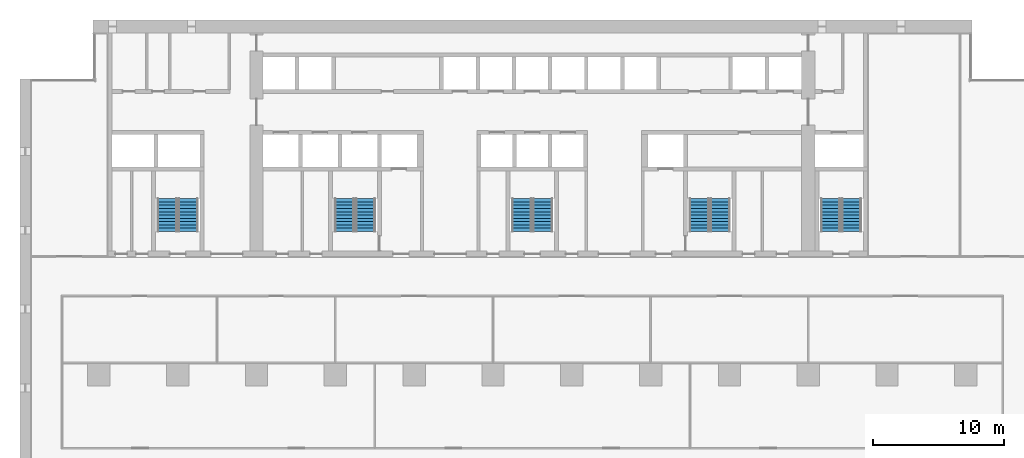
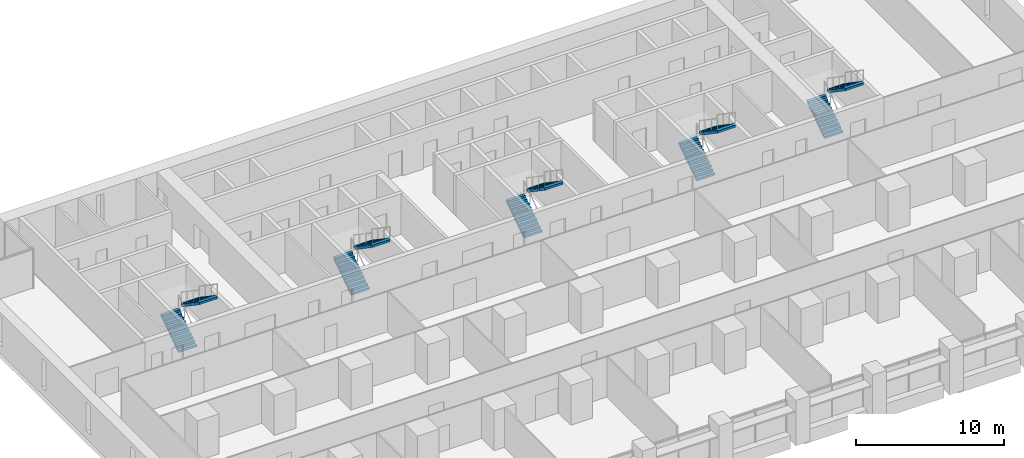
# One storey, part 14 of 18: 10 stair flights, 5 elements without a shape of their own.
"""IFC4 building model written with IfcOpenShell, lengths in metres."""

import ifcopenshell
import ifcopenshell.guid

model = None  # the IFC model being written
_history = None  # IfcOwnerHistory: only IFC2X3 demands one
_inside = {}  # id of a spatial element -> (the spatial element, [elements in it])
_under = {}  # id of a project, library or spatial element -> (it, [spatial elements below it])
_declared = {}  # id of a project -> (the project, [libraries it declares])
_typed = {}  # id of a type object -> (the type object, [elements of that type])
_made_of = {}  # id of a material, layer set ... -> (it, [elements and type objects made of it])


def new_model(schema):
    """Start an empty IFC model of exactly this schema.

    Asked for "IFC4X3", IfcOpenShell would pick the latest addendum, in which some entities
    have other attributes; the version numbers below select the first issue.
    IFC2X3 requires an IfcOwnerHistory on every rooted entity: one is made here for all.
    """
    global model, _history
    if schema == "IFC4X3":
        model = ifcopenshell.file(schema_version=(4, 3, 0, 0))
    else:
        model = ifcopenshell.file(schema=schema)
    _inside.clear()
    _under.clear()
    _declared.clear()
    _typed.clear()
    _made_of.clear()
    _history = None
    if model.schema == "IFC2X3":
        org = make("IfcOrganization", Name="unknown")
        user = make(
            "IfcPersonAndOrganization",
            ThePerson=make("IfcPerson", FamilyName="unknown"),
            TheOrganization=org,
        )
        app = make(
            "IfcApplication",
            ApplicationDeveloper=org,
            Version="unknown",
            ApplicationFullName="unknown",
            ApplicationIdentifier="unknown",
        )
        _history = make(
            "IfcOwnerHistory",
            OwningUser=user,
            OwningApplication=app,
            ChangeAction="ADDED",
            CreationDate=0,
        )
    return model


def make(cls, **values):
    """One entity of the class cls with the attributes given. An attribute that is None is left unset."""
    return model.create_entity(
        cls, **{name: value for name, value in values.items() if value is not None}
    )


def rooted(cls, **values):
    """An entity with a GlobalId (a new one), such as an element, a storey or a relation."""
    return make(cls, GlobalId=ifcopenshell.guid.new(), OwnerHistory=_history, **values)


def si_unit(unit_type, name, prefix=None):
    """IfcSIUnit, for example si_unit("LENGTHUNIT", "METRE", prefix="MILLI")."""
    return make("IfcSIUnit", UnitType=unit_type, Prefix=prefix, Name=name)


def assignment(units):
    """IfcUnitAssignment: the units of a project."""
    return None if units is None else make("IfcUnitAssignment", Units=units)


def point(xyz):
    """IfcCartesianPoint."""
    return None if xyz is None else make("IfcCartesianPoint", Coordinates=xyz)


def direction(xyz):
    """IfcDirection."""
    return None if xyz is None else make("IfcDirection", DirectionRatios=xyz)


def frame(location, z_axis=None, x_axis=None):
    """IfcAxis2Placement3D, a coordinate frame: its origin and axes. An axis left out is left unset."""
    return make(
        "IfcAxis2Placement3D",
        Location=point(location),
        Axis=direction(z_axis),
        RefDirection=direction(x_axis),
    )


def origin():
    """The frame at (0, 0, 0) with its axes left unset."""
    return frame((0.0, 0.0, 0.0))


def place(relative_to, where):
    """IfcLocalPlacement: puts the frame where relative to a parent placement (None: the world)."""
    return make(
        "IfcLocalPlacement", PlacementRelTo=relative_to, RelativePlacement=where
    )


def context(
    kind, dimensions, precision=None, world=None, true_north=None, identifier=None
):
    """IfcGeometricRepresentationContext, for example the 3D "Model" context."""
    return make(
        "IfcGeometricRepresentationContext",
        ContextIdentifier=identifier,
        ContextType=kind,
        CoordinateSpaceDimension=dimensions,
        Precision=precision,
        WorldCoordinateSystem=world,
        TrueNorth=true_north,
    )


def subcontext(parent, identifier, kind, view, scale=None):
    """IfcGeometricRepresentationSubContext, for example "Body" below "Model"."""
    return make(
        "IfcGeometricRepresentationSubContext",
        ContextIdentifier=identifier,
        ContextType=kind,
        ParentContext=parent,
        TargetScale=scale,
        TargetView=view,
    )


def project(units=None, contexts=None):
    """IfcProject with its units and contexts."""
    return rooted(
        "IfcProject",
        Name="project",
        RepresentationContexts=contexts,
        UnitsInContext=assignment(units),
    )


def spatial(cls, under=None, at=None, **own):
    """A site, building, storey or space (cls), placed at a placement, below another one or the project."""
    s = rooted(cls, ObjectPlacement=at, **own)
    if under is not None:
        _under.setdefault(under.id(), (under, []))[1].append(s)
    return s


def polyline(points):
    """IfcPolyline through the points."""
    return make("IfcPolyline", Points=[point(p) for p in points])


def outline(outer, holes=None, kind="AREA"):
    """IfcArbitraryClosedProfileDef: a profile drawn as a closed curve; with holes, ...WithVoids."""
    if holes is None:
        return make("IfcArbitraryClosedProfileDef", ProfileType=kind, OuterCurve=outer)
    return make(
        "IfcArbitraryProfileDefWithVoids",
        ProfileType=kind,
        OuterCurve=outer,
        InnerCurves=holes,
    )


def extrude(swept, where, along, depth):
    """IfcExtrudedAreaSolid: the profile swept, set in the frame where, extruded along a direction by depth."""
    return make(
        "IfcExtrudedAreaSolid",
        SweptArea=swept,
        Position=where,
        ExtrudedDirection=direction(along),
        Depth=depth,
    )


def shape(context_of_items, identifier, shape_type, items):
    """IfcShapeRepresentation: the items that make up one representation, for example the "Body"."""
    return make(
        "IfcShapeRepresentation",
        ContextOfItems=context_of_items,
        RepresentationIdentifier=identifier,
        RepresentationType=shape_type,
        Items=items,
    )


def material(Name=None, Category=None):
    """IfcMaterial."""
    return make("IfcMaterial", Name=Name, Category=Category)


def made_of(thing, what):
    """Note that an element or type object is made of a material, layer set ...; save() writes the relation."""
    if what is not None:
        _made_of.setdefault(what.id(), (what, []))[1].append(thing)
    return thing


def type_object(cls, material=None, **own):
    """A type object (cls), such as IfcWallType, which elements share."""
    return made_of(rooted(cls, **own), material)


def element(
    cls,
    number,
    at=None,
    inside=None,
    cuts=None,
    type_object=None,
    material=None,
    context=None,
    identifier="Body",
    shape_type=None,
    held_by="IfcProductDefinitionShape",
    body=None,
    shapes=None,
    **own,
):
    """One element of the class cls, such as IfcWall. Its Tag is "e" and its number.

    at: its placement. inside: the storey or other place that contains it. cuts: it is an
    opening in that element (IfcRelVoidsElement). A single representation is given by context,
    identifier, shape_type and body (its items); several are given by shapes. held_by: the class
    of the entity that holds the representations. save() writes the other relations.
    """
    e = rooted(cls, Tag="e%d" % number, ObjectPlacement=at, **own)
    if body is not None:
        shapes = [shape(context, identifier, shape_type, body)]
    if shapes is not None:
        e.Representation = make(held_by, Representations=shapes)
    if inside is not None:
        _inside.setdefault(inside.id(), (inside, []))[1].append(e)
    if cuts is not None:
        rooted(
            "IfcRelVoidsElement", RelatingBuildingElement=cuts, RelatedOpeningElement=e
        )
    if type_object is not None:
        _typed.setdefault(type_object.id(), (type_object, []))[1].append(e)
    return made_of(e, material)


def aggregate(whole, parts):
    """IfcRelAggregates: a whole, such as a stair, and the parts it consists of."""
    return rooted("IfcRelAggregates", RelatingObject=whole, RelatedObjects=parts)


def save(model, path):
    """Write the relations noted so far, then the file.

    IfcRelAggregates (storeys below a building ...), IfcRelContainedInSpatialStructure (elements
    in a storey), IfcRelDefinesByType, IfcRelAssociatesMaterial and IfcRelDeclares: one each for
    every whole, place, type object, material and project.
    """
    for whole, parts in _under.values():
        aggregate(whole, parts)
    for where, things in _inside.values():
        rooted(
            "IfcRelContainedInSpatialStructure",
            RelatedElements=things,
            RelatingStructure=where,
        )
    for kind, things in _typed.values():
        rooted("IfcRelDefinesByType", RelatedObjects=things, RelatingType=kind)
    for what, things in _made_of.values():
        rooted("IfcRelAssociatesMaterial", RelatedObjects=things, RelatingMaterial=what)
    for by, libraries in _declared.values():
        rooted("IfcRelDeclares", RelatingContext=by, RelatedDefinitions=libraries)
    model.write(path)


model = new_model("IFC4")

# Units and contexts
model_context = context("Model", 3, precision=1e-05, world=origin(), true_north=direction((0.0, 1.0)))
body_context = subcontext(model_context, "Body", "Model", "MODEL_VIEW")
ifc_project = project(units=[si_unit("LENGTHUNIT", "METRE"), si_unit("AREAUNIT", "SQUARE_METRE"), si_unit("VOLUMEUNIT", "CUBIC_METRE"), si_unit("PLANEANGLEUNIT", "RADIAN"), si_unit("MASSUNIT", "GRAM", prefix="KILO")], contexts=[model_context])

# Site, building, storey
site_placement = place(None, origin())
site = spatial("IfcSite", under=ifc_project, at=site_placement, CompositionType="ELEMENT")
building_placement = place(site_placement, origin())
building = spatial("IfcBuilding", under=site, at=building_placement, Name="Calvaro Tower", CompositionType="ELEMENT")
storey_placement = place(building_placement, frame((0.0, 0.0, 48.75)))
storey = spatial("IfcBuildingStorey", under=building, at=storey_placement, Name="L11", CompositionType="ELEMENT", Elevation=48.75)

# Stair, stair flights
ifc_material_1 = material(Name="Concrete C40/50", Category="concrete")
stair_type = type_object("IfcStairType", Name="Exit stair 1400 2 flights", PredefinedType="HALF_TURN_STAIR", material=ifc_material_1)
stair_1_placement = place(storey_placement, origin())
stair_1 = element("IfcStair", 1, at=stair_1_placement, inside=storey, type_object=stair_type, Name="Exit stair S1", PredefinedType="HALF_TURN_STAIR")
ifc_material_2 = material(Name="Concrete C40/50", Category="concrete")
stair_flight_type = type_object("IfcStairFlightType", Name="Stair flight", PredefinedType="STRAIGHT", material=ifc_material_2)
stair_flight_1_placement = place(storey_placement, frame((11.199951171875, 29.89990234375, 0.0), z_axis=(0.0, 0.0, 1.0), x_axis=(0.0, 1.0, 0.0)))
stair_flight_1 = element("IfcStairFlight", 2, at=stair_flight_1_placement, type_object=stair_flight_type, Name="Exit stair 1, flight 1", NumberOfRisers=11, NumberOfTreads=10, PredefinedType="STRAIGHT", RiserHeight=0.170454545, TreadLength=0.25, context=body_context, shape_type="SweptSolid", body=[
    extrude(outline(polyline([(0.0, 0.0), (0.0, 0.17041015625), (0.25, 0.17041015625), (0.25, 0.3408203125), (0.5, 0.3408203125), (0.5, 0.511474609375), (0.75, 0.511474609375), (0.75, 0.681884765625), (1.0, 0.681884765625), (1.0, 0.852294921875), (1.25, 0.852294921875), (1.25, 1.022705078125), (1.5, 1.022705078125), (1.5, 1.193115234375), (1.75, 1.193115234375), (1.75, 1.363525390625), (2.0, 1.363525390625), (2.0, 1.5341796875), (2.25, 1.5341796875), (2.25, 1.70458984375), (2.5, 1.70458984375), (2.5, 1.875), (2.5, 1.523193359375), (0.26611328125, 0.0), (0.0, 0.0)])), frame((0.0, 0.699951171875, 0.0), z_axis=(0.0, -1.0, 0.0), x_axis=(1.0, 0.0, 0.0)), (0.0, 0.0, 1.0), 1.39990234375),
])
stair_flight_2_placement = place(storey_placement, frame((12.800048828125, 32.39990234375, 1.875), z_axis=(0.0, 0.0, 1.0), x_axis=(0.0, -1.0, 0.0)))
stair_flight_2 = element("IfcStairFlight", 3, at=stair_flight_2_placement, type_object=stair_flight_type, Name="Exit stair 1, flight 2", NumberOfRisers=11, NumberOfTreads=10, PredefinedType="STRAIGHT", RiserHeight=0.170454545, TreadLength=0.25, context=body_context, shape_type="SweptSolid", body=[
    extrude(outline(polyline([(0.0, 0.0), (0.0, 0.17041015625), (0.25, 0.17041015625), (0.25, 0.3408203125), (0.5, 0.3408203125), (0.5, 0.511474609375), (0.75, 0.511474609375), (0.75, 0.681884765625), (1.0, 0.681884765625), (1.0, 0.852294921875), (1.25, 0.852294921875), (1.25, 1.022705078125), (1.5, 1.022705078125), (1.5, 1.193115234375), (1.75, 1.193115234375), (1.75, 1.363525390625), (2.0, 1.363525390625), (2.0, 1.5341796875), (2.25, 1.5341796875), (2.25, 1.70458984375), (2.5, 1.70458984375), (2.5, 1.875), (2.5, 1.523193359375), (0.26611328125, 0.0), (0.0, 0.0)])), frame((0.0, 0.699951171875, 0.0), z_axis=(0.0, -1.0, 0.0), x_axis=(1.0, 0.0, 0.0)), (0.0, 0.0, 1.0), 1.39990234375),
])
aggregate(stair_1, [stair_flight_1, stair_flight_2])

stair_2_placement = place(storey_placement, origin())
stair_2 = element("IfcStair", 4, at=stair_2_placement, inside=storey, type_object=stair_type, Name="Exit stair S2", PredefinedType="HALF_TURN_STAIR")
stair_flight_3_placement = place(storey_placement, frame((24.699951171875, 29.89990234375, 0.0), z_axis=(0.0, 0.0, 1.0), x_axis=(0.0, 1.0, 0.0)))
stair_flight_3 = element("IfcStairFlight", 5, at=stair_flight_3_placement, type_object=stair_flight_type, Name="Exit stair 2, flight 1", NumberOfRisers=11, NumberOfTreads=10, PredefinedType="STRAIGHT", RiserHeight=0.170454545, TreadLength=0.25, context=body_context, shape_type="SweptSolid", body=[
    extrude(outline(polyline([(0.0, 0.0), (0.0, 0.17041015625), (0.25, 0.17041015625), (0.25, 0.3408203125), (0.5, 0.3408203125), (0.5, 0.511474609375), (0.75, 0.511474609375), (0.75, 0.681884765625), (1.0, 0.681884765625), (1.0, 0.852294921875), (1.25, 0.852294921875), (1.25, 1.022705078125), (1.5, 1.022705078125), (1.5, 1.193115234375), (1.75, 1.193115234375), (1.75, 1.363525390625), (2.0, 1.363525390625), (2.0, 1.5341796875), (2.25, 1.5341796875), (2.25, 1.70458984375), (2.5, 1.70458984375), (2.5, 1.875), (2.5, 1.523193359375), (0.26611328125, 0.0), (0.0, 0.0)])), frame((0.0, 0.699951171875, 0.0), z_axis=(0.0, -1.0, 0.0), x_axis=(1.0, 0.0, 0.0)), (0.0, 0.0, 1.0), 1.39990234375),
])
stair_flight_4_placement = place(storey_placement, frame((26.300048828125, 32.39990234375, 1.875), z_axis=(0.0, 0.0, 1.0), x_axis=(0.0, -1.0, 0.0)))
stair_flight_4 = element("IfcStairFlight", 6, at=stair_flight_4_placement, type_object=stair_flight_type, Name="Exit stair 2, flight 2", NumberOfRisers=11, NumberOfTreads=10, PredefinedType="STRAIGHT", RiserHeight=0.170454545, TreadLength=0.25, context=body_context, shape_type="SweptSolid", body=[
    extrude(outline(polyline([(0.0, 0.0), (0.0, 0.17041015625), (0.25, 0.17041015625), (0.25, 0.3408203125), (0.5, 0.3408203125), (0.5, 0.511474609375), (0.75, 0.511474609375), (0.75, 0.681884765625), (1.0, 0.681884765625), (1.0, 0.852294921875), (1.25, 0.852294921875), (1.25, 1.022705078125), (1.5, 1.022705078125), (1.5, 1.193115234375), (1.75, 1.193115234375), (1.75, 1.363525390625), (2.0, 1.363525390625), (2.0, 1.5341796875), (2.25, 1.5341796875), (2.25, 1.70458984375), (2.5, 1.70458984375), (2.5, 1.875), (2.5, 1.523193359375), (0.26611328125, 0.0), (0.0, 0.0)])), frame((0.0, 0.699951171875, 0.0), z_axis=(0.0, -1.0, 0.0), x_axis=(1.0, 0.0, 0.0)), (0.0, 0.0, 1.0), 1.39990234375),
])
aggregate(stair_2, [stair_flight_3, stair_flight_4])

stair_3_placement = place(storey_placement, origin())
stair_3 = element("IfcStair", 7, at=stair_3_placement, inside=storey, type_object=stair_type, Name="Exit stair S3", PredefinedType="HALF_TURN_STAIR")
stair_flight_5_placement = place(storey_placement, frame((38.199951171875, 29.89990234375, 0.0), z_axis=(0.0, 0.0, 1.0), x_axis=(0.0, 1.0, 0.0)))
stair_flight_5 = element("IfcStairFlight", 8, at=stair_flight_5_placement, type_object=stair_flight_type, Name="Exit stair 3, flight 1", NumberOfRisers=11, NumberOfTreads=10, PredefinedType="STRAIGHT", RiserHeight=0.170454545, TreadLength=0.25, context=body_context, shape_type="SweptSolid", body=[
    extrude(outline(polyline([(0.0, 0.0), (0.0, 0.17041015625), (0.25, 0.17041015625), (0.25, 0.3408203125), (0.5, 0.3408203125), (0.5, 0.511474609375), (0.75, 0.511474609375), (0.75, 0.681884765625), (1.0, 0.681884765625), (1.0, 0.852294921875), (1.25, 0.852294921875), (1.25, 1.022705078125), (1.5, 1.022705078125), (1.5, 1.193115234375), (1.75, 1.193115234375), (1.75, 1.363525390625), (2.0, 1.363525390625), (2.0, 1.5341796875), (2.25, 1.5341796875), (2.25, 1.70458984375), (2.5, 1.70458984375), (2.5, 1.875), (2.5, 1.523193359375), (0.26611328125, 0.0), (0.0, 0.0)])), frame((0.0, 0.699951171875, 0.0), z_axis=(0.0, -1.0, 0.0), x_axis=(1.0, 0.0, 0.0)), (0.0, 0.0, 1.0), 1.39990234375),
])
stair_flight_6_placement = place(storey_placement, frame((39.800048828125, 32.39990234375, 1.875), z_axis=(0.0, 0.0, 1.0), x_axis=(0.0, -1.0, 0.0)))
stair_flight_6 = element("IfcStairFlight", 9, at=stair_flight_6_placement, type_object=stair_flight_type, Name="Exit stair 3, flight 2", NumberOfRisers=11, NumberOfTreads=10, PredefinedType="STRAIGHT", RiserHeight=0.170454545, TreadLength=0.25, context=body_context, shape_type="SweptSolid", body=[
    extrude(outline(polyline([(0.0, 0.0), (0.0, 0.17041015625), (0.25, 0.17041015625), (0.25, 0.3408203125), (0.5, 0.3408203125), (0.5, 0.511474609375), (0.75, 0.511474609375), (0.75, 0.681884765625), (1.0, 0.681884765625), (1.0, 0.852294921875), (1.25, 0.852294921875), (1.25, 1.022705078125), (1.5, 1.022705078125), (1.5, 1.193115234375), (1.75, 1.193115234375), (1.75, 1.363525390625), (2.0, 1.363525390625), (2.0, 1.5341796875), (2.25, 1.5341796875), (2.25, 1.70458984375), (2.5, 1.70458984375), (2.5, 1.875), (2.5, 1.523193359375), (0.26611328125, 0.0), (0.0, 0.0)])), frame((0.0, 0.699951171875, 0.0), z_axis=(0.0, -1.0, 0.0), x_axis=(1.0, 0.0, 0.0)), (0.0, 0.0, 1.0), 1.39990234375),
])
aggregate(stair_3, [stair_flight_5, stair_flight_6])

stair_4_placement = place(storey_placement, origin())
stair_4 = element("IfcStair", 10, at=stair_4_placement, inside=storey, type_object=stair_type, Name="Exit stair S4", PredefinedType="HALF_TURN_STAIR")
stair_flight_7_placement = place(storey_placement, frame((51.699951171875, 29.89990234375, 0.0), z_axis=(0.0, 0.0, 1.0), x_axis=(0.0, 1.0, 0.0)))
stair_flight_7 = element("IfcStairFlight", 11, at=stair_flight_7_placement, type_object=stair_flight_type, Name="Exit stair 4, flight 1", NumberOfRisers=11, NumberOfTreads=10, PredefinedType="STRAIGHT", RiserHeight=0.170454545, TreadLength=0.25, context=body_context, shape_type="SweptSolid", body=[
    extrude(outline(polyline([(0.0, 0.0), (0.0, 0.17041015625), (0.25, 0.17041015625), (0.25, 0.3408203125), (0.5, 0.3408203125), (0.5, 0.511474609375), (0.75, 0.511474609375), (0.75, 0.681884765625), (1.0, 0.681884765625), (1.0, 0.852294921875), (1.25, 0.852294921875), (1.25, 1.022705078125), (1.5, 1.022705078125), (1.5, 1.193115234375), (1.75, 1.193115234375), (1.75, 1.363525390625), (2.0, 1.363525390625), (2.0, 1.5341796875), (2.25, 1.5341796875), (2.25, 1.70458984375), (2.5, 1.70458984375), (2.5, 1.875), (2.5, 1.523193359375), (0.26611328125, 0.0), (0.0, 0.0)])), frame((0.0, 0.699951171875, 0.0), z_axis=(0.0, -1.0, 0.0), x_axis=(1.0, 0.0, 0.0)), (0.0, 0.0, 1.0), 1.39990234375),
])
stair_flight_8_placement = place(storey_placement, frame((53.300048828125, 32.39990234375, 1.875), z_axis=(0.0, 0.0, 1.0), x_axis=(0.0, -1.0, 0.0)))
stair_flight_8 = element("IfcStairFlight", 12, at=stair_flight_8_placement, type_object=stair_flight_type, Name="Exit stair 4, flight 2", NumberOfRisers=11, NumberOfTreads=10, PredefinedType="STRAIGHT", RiserHeight=0.170454545, TreadLength=0.25, context=body_context, shape_type="SweptSolid", body=[
    extrude(outline(polyline([(0.0, 0.0), (0.0, 0.17041015625), (0.25, 0.17041015625), (0.25, 0.3408203125), (0.5, 0.3408203125), (0.5, 0.511474609375), (0.75, 0.511474609375), (0.75, 0.681884765625), (1.0, 0.681884765625), (1.0, 0.852294921875), (1.25, 0.852294921875), (1.25, 1.022705078125), (1.5, 1.022705078125), (1.5, 1.193115234375), (1.75, 1.193115234375), (1.75, 1.363525390625), (2.0, 1.363525390625), (2.0, 1.5341796875), (2.25, 1.5341796875), (2.25, 1.70458984375), (2.5, 1.70458984375), (2.5, 1.875), (2.5, 1.523193359375), (0.26611328125, 0.0), (0.0, 0.0)])), frame((0.0, 0.699951171875, 0.0), z_axis=(0.0, -1.0, 0.0), x_axis=(1.0, 0.0, 0.0)), (0.0, 0.0, 1.0), 1.39990234375),
])
aggregate(stair_4, [stair_flight_7, stair_flight_8])

stair_5_placement = place(storey_placement, origin())
stair_5 = element("IfcStair", 13, at=stair_5_placement, inside=storey, type_object=stair_type, Name="Exit stair S5", PredefinedType="HALF_TURN_STAIR")
stair_flight_9_placement = place(storey_placement, frame((61.699951171875, 29.89990234375, 0.0), z_axis=(0.0, 0.0, 1.0), x_axis=(0.0, 1.0, 0.0)))
stair_flight_9 = element("IfcStairFlight", 14, at=stair_flight_9_placement, type_object=stair_flight_type, Name="Exit stair 5, flight 1", NumberOfRisers=11, NumberOfTreads=10, PredefinedType="STRAIGHT", RiserHeight=0.170454545, TreadLength=0.25, context=body_context, shape_type="SweptSolid", body=[
    extrude(outline(polyline([(0.0, 0.0), (0.0, 0.17041015625), (0.25, 0.17041015625), (0.25, 0.3408203125), (0.5, 0.3408203125), (0.5, 0.511474609375), (0.75, 0.511474609375), (0.75, 0.681884765625), (1.0, 0.681884765625), (1.0, 0.852294921875), (1.25, 0.852294921875), (1.25, 1.022705078125), (1.5, 1.022705078125), (1.5, 1.193115234375), (1.75, 1.193115234375), (1.75, 1.363525390625), (2.0, 1.363525390625), (2.0, 1.5341796875), (2.25, 1.5341796875), (2.25, 1.70458984375), (2.5, 1.70458984375), (2.5, 1.875), (2.5, 1.523193359375), (0.26611328125, 0.0), (0.0, 0.0)])), frame((0.0, 0.699951171875, 0.0), z_axis=(0.0, -1.0, 0.0), x_axis=(1.0, 0.0, 0.0)), (0.0, 0.0, 1.0), 1.39990234375),
])
stair_flight_10_placement = place(storey_placement, frame((63.300048828125, 32.39990234375, 1.875), z_axis=(0.0, 0.0, 1.0), x_axis=(0.0, -1.0, 0.0)))
stair_flight_10 = element("IfcStairFlight", 15, at=stair_flight_10_placement, type_object=stair_flight_type, Name="Exit stair 5, flight 2", NumberOfRisers=11, NumberOfTreads=10, PredefinedType="STRAIGHT", RiserHeight=0.170454545, TreadLength=0.25, context=body_context, shape_type="SweptSolid", body=[
    extrude(outline(polyline([(0.0, 0.0), (0.0, 0.17041015625), (0.25, 0.17041015625), (0.25, 0.3408203125), (0.5, 0.3408203125), (0.5, 0.511474609375), (0.75, 0.511474609375), (0.75, 0.681884765625), (1.0, 0.681884765625), (1.0, 0.852294921875), (1.25, 0.852294921875), (1.25, 1.022705078125), (1.5, 1.022705078125), (1.5, 1.193115234375), (1.75, 1.193115234375), (1.75, 1.363525390625), (2.0, 1.363525390625), (2.0, 1.5341796875), (2.25, 1.5341796875), (2.25, 1.70458984375), (2.5, 1.70458984375), (2.5, 1.875), (2.5, 1.523193359375), (0.26611328125, 0.0), (0.0, 0.0)])), frame((0.0, 0.699951171875, 0.0), z_axis=(0.0, -1.0, 0.0), x_axis=(1.0, 0.0, 0.0)), (0.0, 0.0, 1.0), 1.39990234375),
])
aggregate(stair_5, [stair_flight_9, stair_flight_10])

save(model, "model.ifc")
